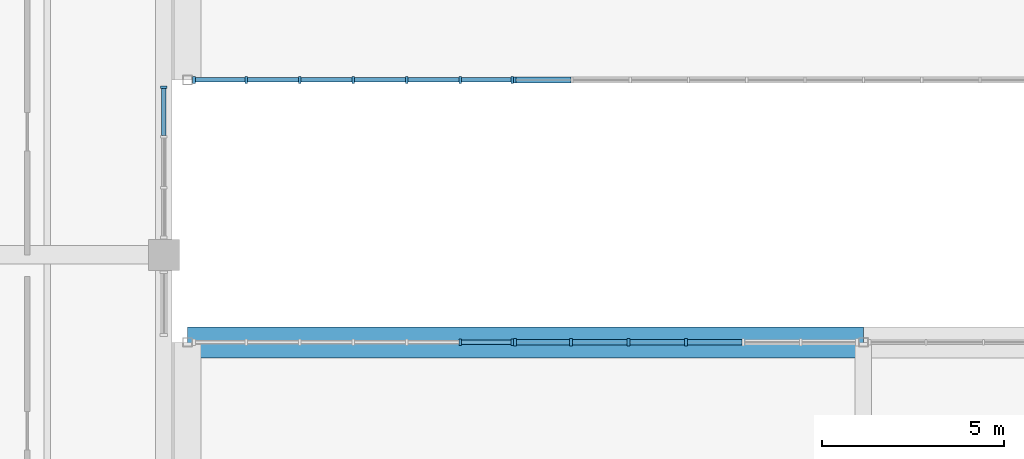
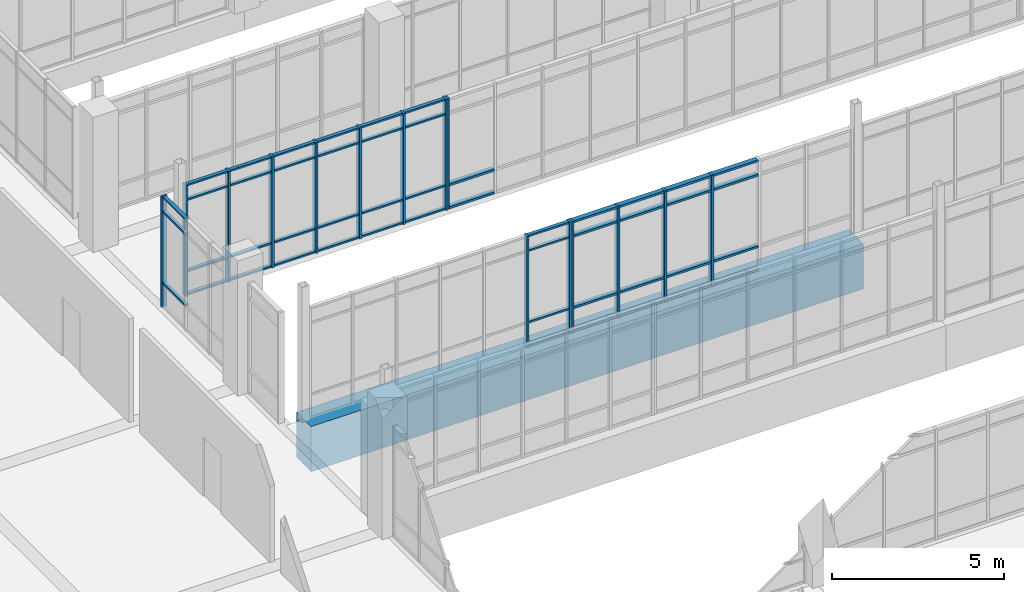
# One storey, part 50 of 152: 64 members, 1 beam, 5 elements without a shape of their own.
"""IFC4 building model written with IfcOpenShell, lengths in metres."""

from ifc_helpers import new_model, si_unit, direction, frame, origin, origin_2d, place, context, subcontext, project, spatial, rectangle, extrude, material, material_profile, profile_set, type_object, element, aggregate, save


model = new_model("IFC4")

# Units and contexts
model_context = context("Model", 3, precision=1e-05, world=origin(), true_north=direction((0.0, 1.0)))
body_context = subcontext(model_context, "Body", "Model", "MODEL_VIEW")
ifc_project = project(units=[si_unit("LENGTHUNIT", "METRE"), si_unit("AREAUNIT", "SQUARE_METRE"), si_unit("VOLUMEUNIT", "CUBIC_METRE"), si_unit("PLANEANGLEUNIT", "RADIAN"), si_unit("MASSUNIT", "GRAM", prefix="KILO")], contexts=[model_context])

# Site, building, storey
site_placement = place(None, origin())
site = spatial("IfcSite", under=ifc_project, at=site_placement, CompositionType="ELEMENT")
building_placement = place(site_placement, origin())
building = spatial("IfcBuilding", under=site, at=building_placement, Name="Oolite Switchyard Hospital", CompositionType="ELEMENT")
storey_placement = place(building_placement, frame((0.0, 0.0, 5.10009765625)))
storey = spatial("IfcBuildingStorey", under=building, at=storey_placement, Name="L01", CompositionType="ELEMENT", Elevation=5.10009765625)

# Beam
ifc_material_1 = material(Name="Concrete C40/50", Category="concrete")
ifc_material_profile_1 = material_profile(ifc_material_1, rectangle(XDim=0.85009765625, YDim=1.60009765625, at=origin_2d()), Name="RCT850X1600")
ifc_profile_set_1 = profile_set([ifc_material_profile_1], Name="Concrete C40/50")
beam_type = type_object("IfcBeamType", Name="BM-TR850X1600", PredefinedType="BEAM", material=ifc_profile_set_1)
beam_placement = place(storey_placement, frame((144.64990234375, 39.60009765625, -0.800048828125), z_axis=(1.0, 0.0, 0.0), x_axis=(0.0, 1.0, 0.0)))
element("IfcBeam", 1, at=beam_placement, inside=storey, type_object=beam_type, Name="L01 X-Girder 82", PredefinedType="BEAM", context=body_context, shape_type="SweptSolid", body=[
    extrude(rectangle(XDim=0.85009765625, YDim=1.60009765625, at=origin_2d()), origin(), (0.0, 0.0, 1.0), 18.550048828125),
])

# Curtain wall, member
ifc_material_2 = material(Name="Thermally broken aluminum frame with laminated impact glazing", Category="aluminium")
curtain_wall_type = type_object("IfcCurtainWallType", Name="CW-BRG-96X38", PredefinedType="USERDEFINED", material=ifc_material_2)
curtain_wall_1_placement = place(storey_placement, origin())
curtain_wall_1 = element("IfcCurtainWall", 2, at=curtain_wall_1_placement, inside=storey, type_object=curtain_wall_type, Name="L01 Unitised Curtain Wall 125", ObjectType="UNITISED", PredefinedType="USERDEFINED")
ifc_material_3 = material(Name="Aluminium 6063-T6", Category="aluminium")
ifc_material_profile_2 = material_profile(ifc_material_3, rectangle(XDim=0.159912109375, YDim=0.06005859375, at=origin_2d()), Name="CWM60X160")
ifc_profile_set_2 = profile_set([ifc_material_profile_2], Name="Aluminium 6063-T6")
member_type_1 = type_object("IfcMemberType", Name="CW-MUL-180", PredefinedType="MULLION", material=ifc_profile_set_2)
member_1_placement = place(storey_placement, frame((153.6298828125, 46.800048828125, 0.0), z_axis=(0.0, 0.0, 1.0), x_axis=(0.0, -1.0, 0.0)))
member_1 = element("IfcMember", 3, at=member_1_placement, type_object=member_type_1, Name="CW-12 mullion 13", PredefinedType="MULLION", context=body_context, shape_type="SweptSolid", body=[
    extrude(rectangle(XDim=0.159912109375, YDim=0.06005859375, at=origin_2d()), origin(), (0.0, 0.0, 1.0), 3.93994140625),
])

# Curtain wall, members
curtain_wall_2_placement = place(storey_placement, origin())
curtain_wall_2 = element("IfcCurtainWall", 4, at=curtain_wall_2_placement, inside=storey, type_object=curtain_wall_type, Name="L01 Unitised Curtain Wall 120", ObjectType="UNITISED", PredefinedType="USERDEFINED")
ifc_material_profile_3 = material_profile(ifc_material_3, rectangle(XDim=0.179931640625, YDim=0.070068359375, at=origin_2d()), Name="CWM70X180")
ifc_profile_set_3 = profile_set([ifc_material_profile_3], Name="Aluminium 6063-T6")
member_type_2 = type_object("IfcMemberType", Name="CW-MUL-220", PredefinedType="MULLION", material=ifc_profile_set_3)
member_2_placement = place(storey_placement, frame((152.132080078125, 39.60009765625, 0.0), z_axis=(0.0, 0.0, 1.0), x_axis=(0.0, 1.0, 0.0)))
member_2 = element("IfcMember", 5, at=member_2_placement, type_object=member_type_2, Name="CW-12 mullion 6", PredefinedType="MULLION", context=body_context, shape_type="SweptSolid", body=[
    extrude(rectangle(XDim=0.179931640625, YDim=0.070068359375, at=origin_2d()), origin(), (0.0, 0.0, 1.0), 3.93994140625),
])
member_3_placement = place(storey_placement, frame((153.56494140625, 39.60009765625, 0.0), z_axis=(0.0, 0.0, 1.0), x_axis=(0.0, 1.0, 0.0)))
member_3 = element("IfcMember", 6, at=member_3_placement, type_object=member_type_2, Name="CW-12 mullion 7", PredefinedType="MULLION", context=body_context, shape_type="SweptSolid", body=[
    extrude(rectangle(XDim=0.179931640625, YDim=0.070068359375, at=origin_2d()), origin(), (0.0, 0.0, 1.0), 3.93994140625),
])

# Curtain wall, member
curtain_wall_3_placement = place(storey_placement, origin())
curtain_wall_3 = element("IfcCurtainWall", 7, at=curtain_wall_3_placement, inside=storey, type_object=curtain_wall_type, Name="L01 Unitised Curtain Wall 192", ObjectType="UNITISED", PredefinedType="USERDEFINED")
member_4_placement = place(storey_placement, frame((144.0, 46.60498046875, 0.0), z_axis=(0.0, 0.0, 1.0), x_axis=(1.0, 0.0, 0.0)))
member_4 = element("IfcMember", 8, at=member_4_placement, type_object=member_type_2, Name="CW-12 mullion 1", PredefinedType="MULLION", context=body_context, shape_type="SweptSolid", body=[
    extrude(rectangle(XDim=0.179931640625, YDim=0.070068359375, at=origin_2d()), origin(), (0.0, 0.0, 1.0), 3.93994140625),
])

# Curtain wall, members
curtain_wall_4_placement = place(storey_placement, origin())
curtain_wall_4 = element("IfcCurtainWall", 9, at=curtain_wall_4_placement, inside=storey, type_object=curtain_wall_type, Name="L01 Unitised Curtain Wall 121", ObjectType="UNITISED", PredefinedType="USERDEFINED")
ifc_material_profile_4 = material_profile(ifc_material_3, rectangle(XDim=0.199951171875, YDim=0.074951171875, at=origin_2d()), Name="CWM75X200")
ifc_profile_set_4 = profile_set([ifc_material_profile_4], Name="Aluminium 6063-T6")
member_type_3 = type_object("IfcMemberType", Name="CW-MUL-260", PredefinedType="MULLION", material=ifc_profile_set_4)
member_5_placement = place(storey_placement, frame((153.637451171875, 39.60009765625, 0.0), z_axis=(0.0, 0.0, 1.0), x_axis=(0.0, 1.0, 0.0)))
member_5 = element("IfcMember", 10, at=member_5_placement, type_object=member_type_3, Name="CW-12 mullion 1", PredefinedType="MULLION", context=body_context, shape_type="SweptSolid", body=[
    extrude(rectangle(XDim=0.199951171875, YDim=0.074951171875, at=origin_2d()), origin(), (0.0, 0.0, 1.0), 3.93994140625),
])
member_6_placement = place(storey_placement, frame((155.17626953125, 39.60009765625, 0.0), z_axis=(0.0, 0.0, 1.0), x_axis=(0.0, 1.0, 0.0)))
member_6 = element("IfcMember", 11, at=member_6_placement, type_object=member_type_3, Name="CW-12 mullion 2", PredefinedType="MULLION", context=body_context, shape_type="SweptSolid", body=[
    extrude(rectangle(XDim=0.199951171875, YDim=0.074951171875, at=origin_2d()), origin(), (0.0, 0.0, 1.0), 3.93994140625),
])
member_7_placement = place(storey_placement, frame((156.752685546875, 39.60009765625, 0.0), z_axis=(0.0, 0.0, 1.0), x_axis=(0.0, 1.0, 0.0)))
member_7 = element("IfcMember", 12, at=member_7_placement, type_object=member_type_3, Name="CW-12 mullion 3", PredefinedType="MULLION", context=body_context, shape_type="SweptSolid", body=[
    extrude(rectangle(XDim=0.199951171875, YDim=0.074951171875, at=origin_2d()), origin(), (0.0, 0.0, 1.0), 3.93994140625),
])
member_8_placement = place(storey_placement, frame((158.3291015625, 39.60009765625, 0.0), z_axis=(0.0, 0.0, 1.0), x_axis=(0.0, 1.0, 0.0)))
member_8 = element("IfcMember", 13, at=member_8_placement, type_object=member_type_3, Name="CW-12 mullion 4", PredefinedType="MULLION", context=body_context, shape_type="SweptSolid", body=[
    extrude(rectangle(XDim=0.199951171875, YDim=0.074951171875, at=origin_2d()), origin(), (0.0, 0.0, 1.0), 3.93994140625),
])

curtain_wall_5_placement = place(storey_placement, origin())
curtain_wall_5 = element("IfcCurtainWall", 14, at=curtain_wall_5_placement, inside=storey, type_object=curtain_wall_type, Name="L01 Unitised Curtain Wall 124", ObjectType="UNITISED", PredefinedType="USERDEFINED")
member_9_placement = place(storey_placement, frame((153.5625, 46.800048828125, 0.0), z_axis=(0.0, 0.0, 1.0), x_axis=(0.0, -1.0, 0.0)))
member_9 = element("IfcMember", 15, at=member_9_placement, type_object=member_type_3, Name="CW-12 mullion 1", PredefinedType="MULLION", context=body_context, shape_type="SweptSolid", body=[
    extrude(rectangle(XDim=0.199951171875, YDim=0.074951171875, at=origin_2d()), origin(), (0.0, 0.0, 1.0), 3.93994140625),
])
member_10_placement = place(storey_placement, frame((152.132080078125, 46.800048828125, 0.0), z_axis=(0.0, 0.0, 1.0), x_axis=(0.0, -1.0, 0.0)))
member_10 = element("IfcMember", 16, at=member_10_placement, type_object=member_type_3, Name="CW-12 mullion 2", PredefinedType="MULLION", context=body_context, shape_type="SweptSolid", body=[
    extrude(rectangle(XDim=0.199951171875, YDim=0.074951171875, at=origin_2d()), origin(), (0.0, 0.0, 1.0), 3.93994140625),
])
member_11_placement = place(storey_placement, frame((150.6640625, 46.800048828125, 0.0), z_axis=(0.0, 0.0, 1.0), x_axis=(0.0, -1.0, 0.0)))
member_11 = element("IfcMember", 17, at=member_11_placement, type_object=member_type_3, Name="CW-12 mullion 3", PredefinedType="MULLION", context=body_context, shape_type="SweptSolid", body=[
    extrude(rectangle(XDim=0.199951171875, YDim=0.074951171875, at=origin_2d()), origin(), (0.0, 0.0, 1.0), 3.93994140625),
])
member_12_placement = place(storey_placement, frame((149.196044921875, 46.800048828125, 0.0), z_axis=(0.0, 0.0, 1.0), x_axis=(0.0, -1.0, 0.0)))
member_12 = element("IfcMember", 18, at=member_12_placement, type_object=member_type_3, Name="CW-12 mullion 4", PredefinedType="MULLION", context=body_context, shape_type="SweptSolid", body=[
    extrude(rectangle(XDim=0.199951171875, YDim=0.074951171875, at=origin_2d()), origin(), (0.0, 0.0, 1.0), 3.93994140625),
])
member_13_placement = place(storey_placement, frame((147.72802734375, 46.800048828125, 0.0), z_axis=(0.0, 0.0, 1.0), x_axis=(0.0, -1.0, 0.0)))
member_13 = element("IfcMember", 19, at=member_13_placement, type_object=member_type_3, Name="CW-12 mullion 5", PredefinedType="MULLION", context=body_context, shape_type="SweptSolid", body=[
    extrude(rectangle(XDim=0.199951171875, YDim=0.074951171875, at=origin_2d()), origin(), (0.0, 0.0, 1.0), 3.93994140625),
])
member_14_placement = place(storey_placement, frame((146.260009765625, 46.800048828125, 0.0), z_axis=(0.0, 0.0, 1.0), x_axis=(0.0, -1.0, 0.0)))
member_14 = element("IfcMember", 20, at=member_14_placement, type_object=member_type_3, Name="CW-12 mullion 6", PredefinedType="MULLION", context=body_context, shape_type="SweptSolid", body=[
    extrude(rectangle(XDim=0.199951171875, YDim=0.074951171875, at=origin_2d()), origin(), (0.0, 0.0, 1.0), 3.93994140625),
])
member_15_placement = place(storey_placement, frame((144.82958984375, 46.800048828125, 0.0), z_axis=(0.0, 0.0, 1.0), x_axis=(0.0, -1.0, 0.0)))
member_15 = element("IfcMember", 21, at=member_15_placement, type_object=member_type_3, Name="CW-12 mullion 7", PredefinedType="MULLION", context=body_context, shape_type="SweptSolid", body=[
    extrude(rectangle(XDim=0.199951171875, YDim=0.074951171875, at=origin_2d()), origin(), (0.0, 0.0, 1.0), 3.93994140625),
])

# Member
ifc_material_profile_5 = material_profile(ifc_material_3, rectangle(XDim=0.1201171875, YDim=0.06005859375, at=origin_2d()), Name="CWT60X120")
ifc_profile_set_5 = profile_set([ifc_material_profile_5], Name="Aluminium 6063-T6")
member_type_4 = type_object("IfcMemberType", Name="CW-TRN-150", PredefinedType="USERDEFINED", material=ifc_profile_set_5)
member_16_placement = place(storey_placement, frame((152.1669921875, 39.60009765625, 0.02978515625), z_axis=(1.0, 0.0, 0.0), x_axis=(0.0, 1.0, 0.0)))
member_16 = element("IfcMember", 22, at=member_16_placement, type_object=member_type_4, Name="CW-12 transom 6.1", ObjectType="TRANSOM", PredefinedType="USERDEFINED", context=body_context, shape_type="SweptSolid", body=[
    extrude(rectangle(XDim=0.1201171875, YDim=0.06005859375, at=origin_2d()), origin(), (0.0, 0.0, 1.0), 1.363037109375),
])

member_17_placement = place(storey_placement, frame((152.1669921875, 39.60009765625, 0.849853515625), z_axis=(1.0, 0.0, 0.0), x_axis=(0.0, 1.0, 0.0)))
member_17 = element("IfcMember", 23, at=member_17_placement, type_object=member_type_4, Name="CW-12 transom 6.2", ObjectType="TRANSOM", PredefinedType="USERDEFINED", context=body_context, shape_type="SweptSolid", body=[
    extrude(rectangle(XDim=0.1201171875, YDim=0.06005859375, at=origin_2d()), origin(), (0.0, 0.0, 1.0), 1.363037109375),
])

member_18_placement = place(storey_placement, frame((152.1669921875, 39.60009765625, 3.389892578125), z_axis=(1.0, 0.0, 0.0), x_axis=(0.0, 1.0, 0.0)))
member_18 = element("IfcMember", 24, at=member_18_placement, type_object=member_type_4, Name="CW-12 transom 6.3", ObjectType="TRANSOM", PredefinedType="USERDEFINED", context=body_context, shape_type="SweptSolid", body=[
    extrude(rectangle(XDim=0.1201171875, YDim=0.06005859375, at=origin_2d()), origin(), (0.0, 0.0, 1.0), 1.363037109375),
])

member_19_placement = place(storey_placement, frame((152.1669921875, 39.60009765625, 3.909912109375), z_axis=(1.0, 0.0, 0.0), x_axis=(0.0, 1.0, 0.0)))
member_19 = element("IfcMember", 25, at=member_19_placement, type_object=member_type_4, Name="CW-12 transom 6.4", ObjectType="TRANSOM", PredefinedType="USERDEFINED", context=body_context, shape_type="SweptSolid", body=[
    extrude(rectangle(XDim=0.1201171875, YDim=0.06005859375, at=origin_2d()), origin(), (0.0, 0.0, 1.0), 1.363037109375),
])

aggregate(curtain_wall_2, [member_2, member_3, member_16, member_17, member_18, member_19])

member_20_placement = place(storey_placement, frame((153.52490234375, 46.800048828125, 0.02978515625), z_axis=(-1.0, 0.0, 0.0), x_axis=(0.0, -1.0, 0.0)))
member_20 = element("IfcMember", 26, at=member_20_placement, type_object=member_type_4, Name="CW-12 transom 1.1", ObjectType="TRANSOM", PredefinedType="USERDEFINED", context=body_context, shape_type="SweptSolid", body=[
    extrude(rectangle(XDim=0.1201171875, YDim=0.06005859375, at=origin_2d()), origin(), (0.0, 0.0, 1.0), 1.35546875),
])

member_21_placement = place(storey_placement, frame((153.52490234375, 46.800048828125, 0.849853515625), z_axis=(-1.0, 0.0, 0.0), x_axis=(0.0, -1.0, 0.0)))
member_21 = element("IfcMember", 27, at=member_21_placement, type_object=member_type_4, Name="CW-12 transom 1.2", ObjectType="TRANSOM", PredefinedType="USERDEFINED", context=body_context, shape_type="SweptSolid", body=[
    extrude(rectangle(XDim=0.1201171875, YDim=0.06005859375, at=origin_2d()), origin(), (0.0, 0.0, 1.0), 1.35546875),
])

member_22_placement = place(storey_placement, frame((153.52490234375, 46.800048828125, 3.389892578125), z_axis=(-1.0, 0.0, 0.0), x_axis=(0.0, -1.0, 0.0)))
member_22 = element("IfcMember", 28, at=member_22_placement, type_object=member_type_4, Name="CW-12 transom 1.3", ObjectType="TRANSOM", PredefinedType="USERDEFINED", context=body_context, shape_type="SweptSolid", body=[
    extrude(rectangle(XDim=0.1201171875, YDim=0.06005859375, at=origin_2d()), origin(), (0.0, 0.0, 1.0), 1.35546875),
])

member_23_placement = place(storey_placement, frame((153.52490234375, 46.800048828125, 3.909912109375), z_axis=(-1.0, 0.0, 0.0), x_axis=(0.0, -1.0, 0.0)))
member_23 = element("IfcMember", 29, at=member_23_placement, type_object=member_type_4, Name="CW-12 transom 1.4", ObjectType="TRANSOM", PredefinedType="USERDEFINED", context=body_context, shape_type="SweptSolid", body=[
    extrude(rectangle(XDim=0.1201171875, YDim=0.06005859375, at=origin_2d()), origin(), (0.0, 0.0, 1.0), 1.35546875),
])

member_24_placement = place(storey_placement, frame((152.094482421875, 46.800048828125, 0.02978515625), z_axis=(-1.0, 0.0, 0.0), x_axis=(0.0, -1.0, 0.0)))
member_24 = element("IfcMember", 30, at=member_24_placement, type_object=member_type_4, Name="CW-12 transom 2.1", ObjectType="TRANSOM", PredefinedType="USERDEFINED", context=body_context, shape_type="SweptSolid", body=[
    extrude(rectangle(XDim=0.1201171875, YDim=0.06005859375, at=origin_2d()), origin(), (0.0, 0.0, 1.0), 1.39306640625),
])

member_25_placement = place(storey_placement, frame((152.094482421875, 46.800048828125, 0.849853515625), z_axis=(-1.0, 0.0, 0.0), x_axis=(0.0, -1.0, 0.0)))
member_25 = element("IfcMember", 31, at=member_25_placement, type_object=member_type_4, Name="CW-12 transom 2.2", ObjectType="TRANSOM", PredefinedType="USERDEFINED", context=body_context, shape_type="SweptSolid", body=[
    extrude(rectangle(XDim=0.1201171875, YDim=0.06005859375, at=origin_2d()), origin(), (0.0, 0.0, 1.0), 1.39306640625),
])

member_26_placement = place(storey_placement, frame((152.094482421875, 46.800048828125, 3.389892578125), z_axis=(-1.0, 0.0, 0.0), x_axis=(0.0, -1.0, 0.0)))
member_26 = element("IfcMember", 32, at=member_26_placement, type_object=member_type_4, Name="CW-12 transom 2.3", ObjectType="TRANSOM", PredefinedType="USERDEFINED", context=body_context, shape_type="SweptSolid", body=[
    extrude(rectangle(XDim=0.1201171875, YDim=0.06005859375, at=origin_2d()), origin(), (0.0, 0.0, 1.0), 1.39306640625),
])

member_27_placement = place(storey_placement, frame((152.094482421875, 46.800048828125, 3.909912109375), z_axis=(-1.0, 0.0, 0.0), x_axis=(0.0, -1.0, 0.0)))
member_27 = element("IfcMember", 33, at=member_27_placement, type_object=member_type_4, Name="CW-12 transom 2.4", ObjectType="TRANSOM", PredefinedType="USERDEFINED", context=body_context, shape_type="SweptSolid", body=[
    extrude(rectangle(XDim=0.1201171875, YDim=0.06005859375, at=origin_2d()), origin(), (0.0, 0.0, 1.0), 1.39306640625),
])

member_28_placement = place(storey_placement, frame((150.62646484375, 46.800048828125, 0.02978515625), z_axis=(-1.0, 0.0, 0.0), x_axis=(0.0, -1.0, 0.0)))
member_28 = element("IfcMember", 34, at=member_28_placement, type_object=member_type_4, Name="CW-12 transom 3.1", ObjectType="TRANSOM", PredefinedType="USERDEFINED", context=body_context, shape_type="SweptSolid", body=[
    extrude(rectangle(XDim=0.1201171875, YDim=0.06005859375, at=origin_2d()), origin(), (0.0, 0.0, 1.0), 1.39306640625),
])

member_29_placement = place(storey_placement, frame((150.62646484375, 46.800048828125, 0.849853515625), z_axis=(-1.0, 0.0, 0.0), x_axis=(0.0, -1.0, 0.0)))
member_29 = element("IfcMember", 35, at=member_29_placement, type_object=member_type_4, Name="CW-12 transom 3.2", ObjectType="TRANSOM", PredefinedType="USERDEFINED", context=body_context, shape_type="SweptSolid", body=[
    extrude(rectangle(XDim=0.1201171875, YDim=0.06005859375, at=origin_2d()), origin(), (0.0, 0.0, 1.0), 1.39306640625),
])

member_30_placement = place(storey_placement, frame((150.62646484375, 46.800048828125, 3.389892578125), z_axis=(-1.0, 0.0, 0.0), x_axis=(0.0, -1.0, 0.0)))
member_30 = element("IfcMember", 36, at=member_30_placement, type_object=member_type_4, Name="CW-12 transom 3.3", ObjectType="TRANSOM", PredefinedType="USERDEFINED", context=body_context, shape_type="SweptSolid", body=[
    extrude(rectangle(XDim=0.1201171875, YDim=0.06005859375, at=origin_2d()), origin(), (0.0, 0.0, 1.0), 1.39306640625),
])

member_31_placement = place(storey_placement, frame((150.62646484375, 46.800048828125, 3.909912109375), z_axis=(-1.0, 0.0, 0.0), x_axis=(0.0, -1.0, 0.0)))
member_31 = element("IfcMember", 37, at=member_31_placement, type_object=member_type_4, Name="CW-12 transom 3.4", ObjectType="TRANSOM", PredefinedType="USERDEFINED", context=body_context, shape_type="SweptSolid", body=[
    extrude(rectangle(XDim=0.1201171875, YDim=0.06005859375, at=origin_2d()), origin(), (0.0, 0.0, 1.0), 1.39306640625),
])

member_32_placement = place(storey_placement, frame((149.158447265625, 46.800048828125, 0.02978515625), z_axis=(-1.0, 0.0, 0.0), x_axis=(0.0, -1.0, 0.0)))
member_32 = element("IfcMember", 38, at=member_32_placement, type_object=member_type_4, Name="CW-12 transom 4.1", ObjectType="TRANSOM", PredefinedType="USERDEFINED", context=body_context, shape_type="SweptSolid", body=[
    extrude(rectangle(XDim=0.1201171875, YDim=0.06005859375, at=origin_2d()), origin(), (0.0, 0.0, 1.0), 1.39306640625),
])

member_33_placement = place(storey_placement, frame((149.158447265625, 46.800048828125, 0.849853515625), z_axis=(-1.0, 0.0, 0.0), x_axis=(0.0, -1.0, 0.0)))
member_33 = element("IfcMember", 39, at=member_33_placement, type_object=member_type_4, Name="CW-12 transom 4.2", ObjectType="TRANSOM", PredefinedType="USERDEFINED", context=body_context, shape_type="SweptSolid", body=[
    extrude(rectangle(XDim=0.1201171875, YDim=0.06005859375, at=origin_2d()), origin(), (0.0, 0.0, 1.0), 1.39306640625),
])

member_34_placement = place(storey_placement, frame((149.158447265625, 46.800048828125, 3.389892578125), z_axis=(-1.0, 0.0, 0.0), x_axis=(0.0, -1.0, 0.0)))
member_34 = element("IfcMember", 40, at=member_34_placement, type_object=member_type_4, Name="CW-12 transom 4.3", ObjectType="TRANSOM", PredefinedType="USERDEFINED", context=body_context, shape_type="SweptSolid", body=[
    extrude(rectangle(XDim=0.1201171875, YDim=0.06005859375, at=origin_2d()), origin(), (0.0, 0.0, 1.0), 1.39306640625),
])

member_35_placement = place(storey_placement, frame((149.158447265625, 46.800048828125, 3.909912109375), z_axis=(-1.0, 0.0, 0.0), x_axis=(0.0, -1.0, 0.0)))
member_35 = element("IfcMember", 41, at=member_35_placement, type_object=member_type_4, Name="CW-12 transom 4.4", ObjectType="TRANSOM", PredefinedType="USERDEFINED", context=body_context, shape_type="SweptSolid", body=[
    extrude(rectangle(XDim=0.1201171875, YDim=0.06005859375, at=origin_2d()), origin(), (0.0, 0.0, 1.0), 1.39306640625),
])

member_36_placement = place(storey_placement, frame((147.6904296875, 46.800048828125, 0.02978515625), z_axis=(-1.0, 0.0, 0.0), x_axis=(0.0, -1.0, 0.0)))
member_36 = element("IfcMember", 42, at=member_36_placement, type_object=member_type_4, Name="CW-12 transom 5.1", ObjectType="TRANSOM", PredefinedType="USERDEFINED", context=body_context, shape_type="SweptSolid", body=[
    extrude(rectangle(XDim=0.1201171875, YDim=0.06005859375, at=origin_2d()), origin(), (0.0, 0.0, 1.0), 1.392822265625),
])

member_37_placement = place(storey_placement, frame((147.6904296875, 46.800048828125, 0.849853515625), z_axis=(-1.0, 0.0, 0.0), x_axis=(0.0, -1.0, 0.0)))
member_37 = element("IfcMember", 43, at=member_37_placement, type_object=member_type_4, Name="CW-12 transom 5.2", ObjectType="TRANSOM", PredefinedType="USERDEFINED", context=body_context, shape_type="SweptSolid", body=[
    extrude(rectangle(XDim=0.1201171875, YDim=0.06005859375, at=origin_2d()), origin(), (0.0, 0.0, 1.0), 1.392822265625),
])

member_38_placement = place(storey_placement, frame((147.6904296875, 46.800048828125, 3.389892578125), z_axis=(-1.0, 0.0, 0.0), x_axis=(0.0, -1.0, 0.0)))
member_38 = element("IfcMember", 44, at=member_38_placement, type_object=member_type_4, Name="CW-12 transom 5.3", ObjectType="TRANSOM", PredefinedType="USERDEFINED", context=body_context, shape_type="SweptSolid", body=[
    extrude(rectangle(XDim=0.1201171875, YDim=0.06005859375, at=origin_2d()), origin(), (0.0, 0.0, 1.0), 1.392822265625),
])

member_39_placement = place(storey_placement, frame((147.6904296875, 46.800048828125, 3.909912109375), z_axis=(-1.0, 0.0, 0.0), x_axis=(0.0, -1.0, 0.0)))
member_39 = element("IfcMember", 45, at=member_39_placement, type_object=member_type_4, Name="CW-12 transom 5.4", ObjectType="TRANSOM", PredefinedType="USERDEFINED", context=body_context, shape_type="SweptSolid", body=[
    extrude(rectangle(XDim=0.1201171875, YDim=0.06005859375, at=origin_2d()), origin(), (0.0, 0.0, 1.0), 1.392822265625),
])

member_40_placement = place(storey_placement, frame((146.222412109375, 46.800048828125, 0.02978515625), z_axis=(-1.0, 0.0, 0.0), x_axis=(0.0, -1.0, 0.0)))
member_40 = element("IfcMember", 46, at=member_40_placement, type_object=member_type_4, Name="CW-12 transom 6.1", ObjectType="TRANSOM", PredefinedType="USERDEFINED", context=body_context, shape_type="SweptSolid", body=[
    extrude(rectangle(XDim=0.1201171875, YDim=0.06005859375, at=origin_2d()), origin(), (0.0, 0.0, 1.0), 1.35546875),
])

member_41_placement = place(storey_placement, frame((146.222412109375, 46.800048828125, 0.849853515625), z_axis=(-1.0, 0.0, 0.0), x_axis=(0.0, -1.0, 0.0)))
member_41 = element("IfcMember", 47, at=member_41_placement, type_object=member_type_4, Name="CW-12 transom 6.2", ObjectType="TRANSOM", PredefinedType="USERDEFINED", context=body_context, shape_type="SweptSolid", body=[
    extrude(rectangle(XDim=0.1201171875, YDim=0.06005859375, at=origin_2d()), origin(), (0.0, 0.0, 1.0), 1.35546875),
])

member_42_placement = place(storey_placement, frame((146.222412109375, 46.800048828125, 3.389892578125), z_axis=(-1.0, 0.0, 0.0), x_axis=(0.0, -1.0, 0.0)))
member_42 = element("IfcMember", 48, at=member_42_placement, type_object=member_type_4, Name="CW-12 transom 6.3", ObjectType="TRANSOM", PredefinedType="USERDEFINED", context=body_context, shape_type="SweptSolid", body=[
    extrude(rectangle(XDim=0.1201171875, YDim=0.06005859375, at=origin_2d()), origin(), (0.0, 0.0, 1.0), 1.35546875),
])

member_43_placement = place(storey_placement, frame((146.222412109375, 46.800048828125, 3.909912109375), z_axis=(-1.0, 0.0, 0.0), x_axis=(0.0, -1.0, 0.0)))
member_43 = element("IfcMember", 49, at=member_43_placement, type_object=member_type_4, Name="CW-12 transom 6.4", ObjectType="TRANSOM", PredefinedType="USERDEFINED", context=body_context, shape_type="SweptSolid", body=[
    extrude(rectangle(XDim=0.1201171875, YDim=0.06005859375, at=origin_2d()), origin(), (0.0, 0.0, 1.0), 1.35546875),
])

aggregate(curtain_wall_5, [member_9, member_10, member_11, member_12, member_13, member_14, member_15, member_20, member_21, member_22, member_23, member_24, member_25, member_26, member_27, member_28, member_29, member_30, member_31, member_32, member_33, member_34, member_35, member_36, member_37, member_38, member_39, member_40, member_41, member_42, member_43])

member_44_placement = place(storey_placement, frame((144.0, 46.570068359375, 0.849853515625), z_axis=(0.0, -1.0, 0.0), x_axis=(1.0, 0.0, 0.0)))
member_44 = element("IfcMember", 50, at=member_44_placement, type_object=member_type_4, Name="CW-12 transom 1.2", ObjectType="TRANSOM", PredefinedType="USERDEFINED", context=body_context, shape_type="SweptSolid", body=[
    extrude(rectangle(XDim=0.1201171875, YDim=0.06005859375, at=origin_2d()), origin(), (0.0, 0.0, 1.0), 1.295166015625),
])

member_45_placement = place(storey_placement, frame((144.0, 46.570068359375, 3.389892578125), z_axis=(0.0, -1.0, 0.0), x_axis=(1.0, 0.0, 0.0)))
member_45 = element("IfcMember", 51, at=member_45_placement, type_object=member_type_4, Name="CW-12 transom 1.3", ObjectType="TRANSOM", PredefinedType="USERDEFINED", context=body_context, shape_type="SweptSolid", body=[
    extrude(rectangle(XDim=0.1201171875, YDim=0.06005859375, at=origin_2d()), origin(), (0.0, 0.0, 1.0), 1.295166015625),
])

member_46_placement = place(storey_placement, frame((144.0, 46.570068359375, 3.909912109375), z_axis=(0.0, -1.0, 0.0), x_axis=(1.0, 0.0, 0.0)))
member_46 = element("IfcMember", 52, at=member_46_placement, type_object=member_type_4, Name="CW-12 transom 1.4", ObjectType="TRANSOM", PredefinedType="USERDEFINED", context=body_context, shape_type="SweptSolid", body=[
    extrude(rectangle(XDim=0.1201171875, YDim=0.06005859375, at=origin_2d()), origin(), (0.0, 0.0, 1.0), 1.295166015625),
])

aggregate(curtain_wall_3, [member_4, member_44, member_45, member_46])

ifc_material_profile_6 = material_profile(ifc_material_3, rectangle(XDim=0.159912109375, YDim=0.074951171875, at=origin_2d()), Name="CWT75X160")
ifc_profile_set_6 = profile_set([ifc_material_profile_6], Name="Aluminium 6063-T6")
member_type_5 = type_object("IfcMemberType", Name="CW-TRN-180", PredefinedType="USERDEFINED", material=ifc_profile_set_6)
member_47_placement = place(storey_placement, frame((153.675048828125, 39.60009765625, 0.037353515625), z_axis=(1.0, 0.0, 0.0), x_axis=(0.0, 1.0, 0.0)))
member_47 = element("IfcMember", 53, at=member_47_placement, type_object=member_type_5, Name="CW-12 transom 1.1", ObjectType="TRANSOM", PredefinedType="USERDEFINED", context=body_context, shape_type="SweptSolid", body=[
    extrude(rectangle(XDim=0.159912109375, YDim=0.074951171875, at=origin_2d()), origin(), (0.0, 0.0, 1.0), 1.4638671875),
])

member_48_placement = place(storey_placement, frame((153.675048828125, 39.60009765625, 0.849853515625), z_axis=(1.0, 0.0, 0.0), x_axis=(0.0, 1.0, 0.0)))
member_48 = element("IfcMember", 54, at=member_48_placement, type_object=member_type_5, Name="CW-12 transom 1.2", ObjectType="TRANSOM", PredefinedType="USERDEFINED", context=body_context, shape_type="SweptSolid", body=[
    extrude(rectangle(XDim=0.159912109375, YDim=0.074951171875, at=origin_2d()), origin(), (0.0, 0.0, 1.0), 1.4638671875),
])

member_49_placement = place(storey_placement, frame((153.675048828125, 39.60009765625, 3.389892578125), z_axis=(1.0, 0.0, 0.0), x_axis=(0.0, 1.0, 0.0)))
member_49 = element("IfcMember", 55, at=member_49_placement, type_object=member_type_5, Name="CW-12 transom 1.3", ObjectType="TRANSOM", PredefinedType="USERDEFINED", context=body_context, shape_type="SweptSolid", body=[
    extrude(rectangle(XDim=0.159912109375, YDim=0.074951171875, at=origin_2d()), origin(), (0.0, 0.0, 1.0), 1.4638671875),
])

member_50_placement = place(storey_placement, frame((153.675048828125, 39.60009765625, 3.90234375), z_axis=(1.0, 0.0, 0.0), x_axis=(0.0, 1.0, 0.0)))
member_50 = element("IfcMember", 56, at=member_50_placement, type_object=member_type_5, Name="CW-12 transom 1.4", ObjectType="TRANSOM", PredefinedType="USERDEFINED", context=body_context, shape_type="SweptSolid", body=[
    extrude(rectangle(XDim=0.159912109375, YDim=0.074951171875, at=origin_2d()), origin(), (0.0, 0.0, 1.0), 1.4638671875),
])

member_51_placement = place(storey_placement, frame((155.2138671875, 39.60009765625, 0.037353515625), z_axis=(1.0, 0.0, 0.0), x_axis=(0.0, 1.0, 0.0)))
member_51 = element("IfcMember", 57, at=member_51_placement, type_object=member_type_5, Name="CW-12 transom 2.1", ObjectType="TRANSOM", PredefinedType="USERDEFINED", context=body_context, shape_type="SweptSolid", body=[
    extrude(rectangle(XDim=0.159912109375, YDim=0.074951171875, at=origin_2d()), origin(), (0.0, 0.0, 1.0), 1.501220703125),
])

member_52_placement = place(storey_placement, frame((155.2138671875, 39.60009765625, 0.849853515625), z_axis=(1.0, 0.0, 0.0), x_axis=(0.0, 1.0, 0.0)))
member_52 = element("IfcMember", 58, at=member_52_placement, type_object=member_type_5, Name="CW-12 transom 2.2", ObjectType="TRANSOM", PredefinedType="USERDEFINED", context=body_context, shape_type="SweptSolid", body=[
    extrude(rectangle(XDim=0.159912109375, YDim=0.074951171875, at=origin_2d()), origin(), (0.0, 0.0, 1.0), 1.501220703125),
])

member_53_placement = place(storey_placement, frame((155.2138671875, 39.60009765625, 3.389892578125), z_axis=(1.0, 0.0, 0.0), x_axis=(0.0, 1.0, 0.0)))
member_53 = element("IfcMember", 59, at=member_53_placement, type_object=member_type_5, Name="CW-12 transom 2.3", ObjectType="TRANSOM", PredefinedType="USERDEFINED", context=body_context, shape_type="SweptSolid", body=[
    extrude(rectangle(XDim=0.159912109375, YDim=0.074951171875, at=origin_2d()), origin(), (0.0, 0.0, 1.0), 1.501220703125),
])

member_54_placement = place(storey_placement, frame((155.2138671875, 39.60009765625, 3.90234375), z_axis=(1.0, 0.0, 0.0), x_axis=(0.0, 1.0, 0.0)))
member_54 = element("IfcMember", 60, at=member_54_placement, type_object=member_type_5, Name="CW-12 transom 2.4", ObjectType="TRANSOM", PredefinedType="USERDEFINED", context=body_context, shape_type="SweptSolid", body=[
    extrude(rectangle(XDim=0.159912109375, YDim=0.074951171875, at=origin_2d()), origin(), (0.0, 0.0, 1.0), 1.501220703125),
])

member_55_placement = place(storey_placement, frame((156.790283203125, 39.60009765625, 0.037353515625), z_axis=(1.0, 0.0, 0.0), x_axis=(0.0, 1.0, 0.0)))
member_55 = element("IfcMember", 61, at=member_55_placement, type_object=member_type_5, Name="CW-12 transom 3.1", ObjectType="TRANSOM", PredefinedType="USERDEFINED", context=body_context, shape_type="SweptSolid", body=[
    extrude(rectangle(XDim=0.159912109375, YDim=0.074951171875, at=origin_2d()), origin(), (0.0, 0.0, 1.0), 1.501220703125),
])

member_56_placement = place(storey_placement, frame((156.790283203125, 39.60009765625, 0.849853515625), z_axis=(1.0, 0.0, 0.0), x_axis=(0.0, 1.0, 0.0)))
member_56 = element("IfcMember", 62, at=member_56_placement, type_object=member_type_5, Name="CW-12 transom 3.2", ObjectType="TRANSOM", PredefinedType="USERDEFINED", context=body_context, shape_type="SweptSolid", body=[
    extrude(rectangle(XDim=0.159912109375, YDim=0.074951171875, at=origin_2d()), origin(), (0.0, 0.0, 1.0), 1.501220703125),
])

member_57_placement = place(storey_placement, frame((156.790283203125, 39.60009765625, 3.389892578125), z_axis=(1.0, 0.0, 0.0), x_axis=(0.0, 1.0, 0.0)))
member_57 = element("IfcMember", 63, at=member_57_placement, type_object=member_type_5, Name="CW-12 transom 3.3", ObjectType="TRANSOM", PredefinedType="USERDEFINED", context=body_context, shape_type="SweptSolid", body=[
    extrude(rectangle(XDim=0.159912109375, YDim=0.074951171875, at=origin_2d()), origin(), (0.0, 0.0, 1.0), 1.501220703125),
])

member_58_placement = place(storey_placement, frame((156.790283203125, 39.60009765625, 3.90234375), z_axis=(1.0, 0.0, 0.0), x_axis=(0.0, 1.0, 0.0)))
member_58 = element("IfcMember", 64, at=member_58_placement, type_object=member_type_5, Name="CW-12 transom 3.4", ObjectType="TRANSOM", PredefinedType="USERDEFINED", context=body_context, shape_type="SweptSolid", body=[
    extrude(rectangle(XDim=0.159912109375, YDim=0.074951171875, at=origin_2d()), origin(), (0.0, 0.0, 1.0), 1.501220703125),
])

member_59_placement = place(storey_placement, frame((158.366455078125, 39.60009765625, 0.037353515625), z_axis=(1.0, 0.0, 0.0), x_axis=(0.0, 1.0, 0.0)))
member_59 = element("IfcMember", 65, at=member_59_placement, type_object=member_type_5, Name="CW-12 transom 4.1", ObjectType="TRANSOM", PredefinedType="USERDEFINED", context=body_context, shape_type="SweptSolid", body=[
    extrude(rectangle(XDim=0.159912109375, YDim=0.074951171875, at=origin_2d()), origin(), (0.0, 0.0, 1.0), 1.50146484375),
])

member_60_placement = place(storey_placement, frame((158.366455078125, 39.60009765625, 0.849853515625), z_axis=(1.0, 0.0, 0.0), x_axis=(0.0, 1.0, 0.0)))
member_60 = element("IfcMember", 66, at=member_60_placement, type_object=member_type_5, Name="CW-12 transom 4.2", ObjectType="TRANSOM", PredefinedType="USERDEFINED", context=body_context, shape_type="SweptSolid", body=[
    extrude(rectangle(XDim=0.159912109375, YDim=0.074951171875, at=origin_2d()), origin(), (0.0, 0.0, 1.0), 1.50146484375),
])

member_61_placement = place(storey_placement, frame((158.366455078125, 39.60009765625, 3.389892578125), z_axis=(1.0, 0.0, 0.0), x_axis=(0.0, 1.0, 0.0)))
member_61 = element("IfcMember", 67, at=member_61_placement, type_object=member_type_5, Name="CW-12 transom 4.3", ObjectType="TRANSOM", PredefinedType="USERDEFINED", context=body_context, shape_type="SweptSolid", body=[
    extrude(rectangle(XDim=0.159912109375, YDim=0.074951171875, at=origin_2d()), origin(), (0.0, 0.0, 1.0), 1.50146484375),
])

member_62_placement = place(storey_placement, frame((158.366455078125, 39.60009765625, 3.90234375), z_axis=(1.0, 0.0, 0.0), x_axis=(0.0, 1.0, 0.0)))
member_62 = element("IfcMember", 68, at=member_62_placement, type_object=member_type_5, Name="CW-12 transom 4.4", ObjectType="TRANSOM", PredefinedType="USERDEFINED", context=body_context, shape_type="SweptSolid", body=[
    extrude(rectangle(XDim=0.159912109375, YDim=0.074951171875, at=origin_2d()), origin(), (0.0, 0.0, 1.0), 1.50146484375),
])

aggregate(curtain_wall_4, [member_5, member_6, member_7, member_8, member_47, member_48, member_49, member_50, member_51, member_52, member_53, member_54, member_55, member_56, member_57, member_58, member_59, member_60, member_61, member_62])

member_63_placement = place(storey_placement, frame((155.169921875, 46.800048828125, 0.037353515625), z_axis=(-1.0, 0.0, 0.0), x_axis=(0.0, -1.0, 0.0)))
member_63 = element("IfcMember", 69, at=member_63_placement, type_object=member_type_5, Name="CW-12 transom 12.1", ObjectType="TRANSOM", PredefinedType="USERDEFINED", context=body_context, shape_type="SweptSolid", body=[
    extrude(rectangle(XDim=0.159912109375, YDim=0.074951171875, at=origin_2d()), origin(), (0.0, 0.0, 1.0), 1.510009765625),
])

member_64_placement = place(storey_placement, frame((155.169921875, 46.800048828125, 0.849853515625), z_axis=(-1.0, 0.0, 0.0), x_axis=(0.0, -1.0, 0.0)))
member_64 = element("IfcMember", 70, at=member_64_placement, type_object=member_type_5, Name="CW-12 transom 12.2", ObjectType="TRANSOM", PredefinedType="USERDEFINED", context=body_context, shape_type="SweptSolid", body=[
    extrude(rectangle(XDim=0.159912109375, YDim=0.074951171875, at=origin_2d()), origin(), (0.0, 0.0, 1.0), 1.510009765625),
])

aggregate(curtain_wall_1, [member_1, member_63, member_64])

save(model, "model.ifc")
